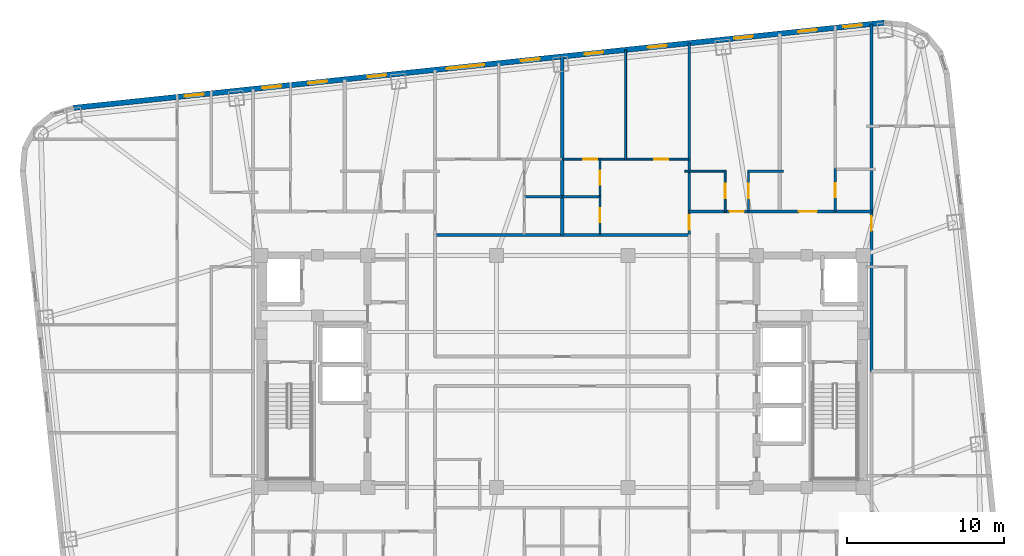
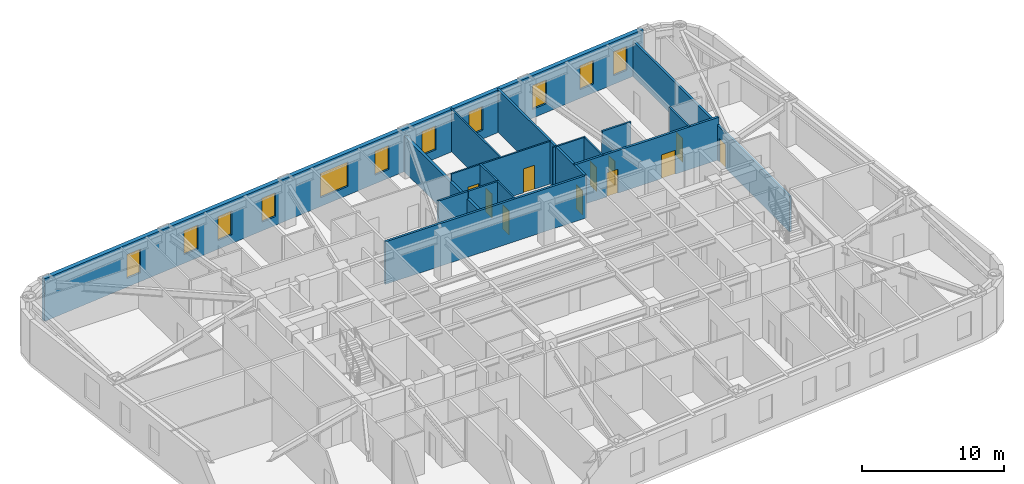
# One storey, part 9 of 12: 17 walls, 11 doors, 11 windows, 22 openings.
"""IFC4 building model written with IfcOpenShell, lengths in metres."""

from ifc_helpers import new_model, si_unit, direction, frame, frame_2d, origin, place, context, subcontext, project, spatial, rectangle, extrude, material, layer, layer_set, type_object, element, fill, save


model = new_model("IFC4")

# Units and contexts
model_context = context("Model", 3, precision=1e-05, world=origin(), true_north=direction((0.0, 1.0)))
body_context = subcontext(model_context, "Body", "Model", "MODEL_VIEW")
ifc_project = project(units=[si_unit("LENGTHUNIT", "METRE"), si_unit("AREAUNIT", "SQUARE_METRE"), si_unit("VOLUMEUNIT", "CUBIC_METRE"), si_unit("PLANEANGLEUNIT", "RADIAN"), si_unit("MASSUNIT", "GRAM", prefix="KILO")], contexts=[model_context])

# Site, building, storey
site_placement = place(None, origin())
site = spatial("IfcSite", under=ifc_project, at=site_placement, CompositionType="ELEMENT")
building_placement = place(site_placement, origin())
building = spatial("IfcBuilding", under=site, at=building_placement, Name="Voryun Gate Residences", CompositionType="ELEMENT")
storey_placement = place(building_placement, frame((0.0, 0.0, 187.199951171875)))
storey = spatial("IfcBuildingStorey", under=building, at=storey_placement, Name="L46", CompositionType="ELEMENT", Elevation=187.199951171875)

# Wall
ifc_material_1 = material(Name="Gypsum acoustic fireboard")
ifc_layer_1 = layer(ifc_material_1, 0.179931640625, Name="W_CORR_RATED_180")
ifc_layer_set_1 = layer_set([ifc_layer_1], Name="Gypsum acoustic fireboard")
wall_type_1 = type_object("IfcWallType", Name="W_CORR_RATED_180", PredefinedType="PARTITIONING", material=ifc_layer_set_1)
wall_1_placement = place(storey_placement, frame((-8.14990234375, 8.68994140625, 0.0), z_axis=(0.0, 0.0, 1.0), x_axis=(1.0, 0.0, 0.0)))
element("IfcWall", 1, at=wall_1_placement, inside=storey, type_object=wall_type_1, Name="Partition wall WP-L46-Z2N", PredefinedType="PARTITIONING", context=body_context, shape_type="SweptSolid", body=[
    extrude(rectangle(XDim=16.2998046875, YDim=0.179931640625, at=frame_2d((8.14990234375, 0.0))), origin(), (0.0, 0.0, 1.0), 3.650146484375),
])

# Wall, openings, doors
wall_2_placement = place(storey_placement, frame((8.080078125, 10.199951171875, 0.0), z_axis=(0.0, 0.0, 1.0), x_axis=(1.0, 0.0, 0.0)))
wall_2 = element("IfcWall", 2, at=wall_2_placement, inside=storey, type_object=wall_type_1, Name="Partition wall WP-L46-NCORR-E", PredefinedType="PARTITIONING", context=body_context, shape_type="SweptSolid", body=[
    extrude(rectangle(XDim=11.669921875, YDim=0.179931640625, at=frame_2d((5.8349609375, 0.0))), origin(), (0.0, 0.0, 1.0), 3.650146484375),
])
opening_1_placement = place(wall_2_placement, frame((2.60400390625, 0.0, 0.0)))
opening_1 = element("IfcOpeningElement", 3, at=opening_1_placement, cuts=wall_2, Name="Opening D-INT-2", PredefinedType="OPENING", context=body_context, shape_type="SweptSolid", body=[
    extrude(rectangle(XDim=0.89990234375, YDim=2.050048828125, at=frame_2d((0.449951171875, 1.02490234375))), frame((0.0, 0.099853515625, 0.0), z_axis=(0.0, -1.0, 0.0), x_axis=(1.0, 0.0, 0.0)), (0.0, 0.0, 1.0), 0.199951171875),
])
opening_2_placement = place(wall_2_placement, frame((7.016357421875, 0.0, 0.0)))
opening_2 = element("IfcOpeningElement", 4, at=opening_2_placement, cuts=wall_2, Name="Opening D-UNIT-1", PredefinedType="OPENING", context=body_context, shape_type="SweptSolid", body=[
    extrude(rectangle(XDim=1.14990234375, YDim=2.050048828125, at=frame_2d((0.574951171875, 1.02490234375))), frame((0.0, 0.099853515625, 0.0), z_axis=(0.0, -1.0, 0.0), x_axis=(1.0, 0.0, 0.0)), (0.0, 0.0, 1.0), 0.199951171875),
])
ifc_material_2 = material(Name="Architectural oak veneer")
door_type_1 = type_object("IfcDoorType", Name="DR_INT_BATH_900", OperationType="NOTDEFINED", PredefinedType="DOOR", material=ifc_material_2)
door_1_placement = place(opening_1_placement, origin())
door_1 = element("IfcDoor", 5, at=door_1_placement, inside=storey, type_object=door_type_1, Name="Door DR-L46-NENT-4", OperationType="SINGLE_SWING_RIGHT", OverallHeight=2.050048828125, OverallWidth=0.89990234375, PredefinedType="DOOR", context=body_context, shape_type="SweptSolid", body=[
    extrude(rectangle(XDim=0.89990234375, YDim=2.050048828125, at=frame_2d((0.449951171875, 1.02490234375))), frame((0.0, 0.02490234375, 0.0), z_axis=(0.0, -1.0, 0.0), x_axis=(1.0, 0.0, 0.0)), (0.0, 0.0, 1.0), 0.050048828125),
])
fill(opening_1, door_1)
ifc_material_3 = material(Name="Armoured timber-clad fire door", Category="wood")
door_type_2 = type_object("IfcDoorType", Name="DR_UNIT_ENTRY_1150", OperationType="NOTDEFINED", PredefinedType="DOOR", material=ifc_material_3)
door_2_placement = place(opening_2_placement, origin())
door_2 = element("IfcDoor", 6, at=door_2_placement, inside=storey, type_object=door_type_2, Name="Door DR-L46-NENT-5", OperationType="SINGLE_SWING_LEFT", OverallHeight=2.050048828125, OverallWidth=1.14990234375, PredefinedType="DOOR", context=body_context, shape_type="SweptSolid", body=[
    extrude(rectangle(XDim=1.14990234375, YDim=2.050048828125, at=frame_2d((0.574951171875, 1.02490234375))), frame((0.0, 0.02490234375, 0.0), z_axis=(0.0, -1.0, 0.0), x_axis=(1.0, 0.0, 0.0)), (0.0, 0.0, 1.0), 0.050048828125),
])
fill(opening_2, door_2)

# Wall, opening, door
wall_3_placement = place(storey_placement, frame((8.10009765625, 8.68994140625, 0.0), z_axis=(0.0, 0.0, 1.0), x_axis=(0.0, 1.0, 0.0)))
wall_3 = element("IfcWall", 7, at=wall_3_placement, inside=storey, type_object=wall_type_1, Name="Partition wall WP-L46-NZV-2", PredefinedType="PARTITIONING", context=body_context, shape_type="SweptSolid", body=[
    extrude(rectangle(XDim=12.2392578125, YDim=0.179931640625, at=frame_2d((6.11962890625, 0.0))), origin(), (0.0, 0.0, 1.0), 3.650146484375),
])
opening_3_placement = place(wall_3_placement, frame((0.350341796875, 0.0, 0.0)))
opening_3 = element("IfcOpeningElement", 8, at=opening_3_placement, cuts=wall_3, Name="Opening D-INT-2", PredefinedType="OPENING", context=body_context, shape_type="SweptSolid", body=[
    extrude(rectangle(XDim=0.89990234375, YDim=2.050048828125, at=frame_2d((0.449951171875, 1.02490234375))), frame((0.0, 0.099853515625, 0.0), z_axis=(0.0, -1.0, 0.0), x_axis=(1.0, 0.0, 0.0)), (0.0, 0.0, 1.0), 0.199951171875),
])
door_3_placement = place(opening_3_placement, origin())
door_3 = element("IfcDoor", 9, at=door_3_placement, inside=storey, type_object=door_type_1, Name="Door DR-L46-NZENT-2", OperationType="SINGLE_SWING_RIGHT", OverallHeight=2.050048828125, OverallWidth=0.89990234375, PredefinedType="DOOR", context=body_context, shape_type="SweptSolid", body=[
    extrude(rectangle(XDim=0.89990234375, YDim=2.050048828125, at=frame_2d((0.449951171875, 1.02490234375))), frame((0.0, 0.02490234375, 0.0), z_axis=(0.0, -1.0, 0.0), x_axis=(1.0, 0.0, 0.0)), (0.0, 0.0, 1.0), 0.050048828125),
])
fill(opening_3, door_3)

wall_4_placement = place(storey_placement, frame((19.719970703125, 0.0, 0.0), z_axis=(0.0, 0.0, 1.0), x_axis=(0.0, 1.0, 0.0)))
wall_4 = element("IfcWall", 10, at=wall_4_placement, inside=storey, type_object=wall_type_1, Name="Partition wall WP-L46-ECOR2", PredefinedType="PARTITIONING", context=body_context, shape_type="SweptSolid", body=[
    extrude(rectangle(XDim=22.150390625, YDim=0.179931640625, at=frame_2d((11.0751953125, 0.0))), origin(), (0.0, 0.0, 1.0), 3.0400390625),
])
opening_4_placement = place(wall_4_placement, frame((8.9794921875, 0.0, 0.0)))
opening_4 = element("IfcOpeningElement", 11, at=opening_4_placement, cuts=wall_4, Name="Opening D-INT-2", PredefinedType="OPENING", context=body_context, shape_type="SweptSolid", body=[
    extrude(rectangle(XDim=0.89990234375, YDim=2.050048828125, at=frame_2d((0.449951171875, 1.02490234375))), frame((0.0, 0.099853515625, 0.0), z_axis=(0.0, -1.0, 0.0), x_axis=(1.0, 0.0, 0.0)), (0.0, 0.0, 1.0), 0.199951171875),
])
door_4_placement = place(opening_4_placement, origin())
door_4 = element("IfcDoor", 12, at=door_4_placement, inside=storey, type_object=door_type_1, Name="Door DR-L46-EE2", OperationType="SINGLE_SWING_RIGHT", OverallHeight=2.050048828125, OverallWidth=0.89990234375, PredefinedType="DOOR", context=body_context, shape_type="SweptSolid", body=[
    extrude(rectangle(XDim=0.89990234375, YDim=2.050048828125, at=frame_2d((0.449951171875, 1.02490234375))), frame((0.0, 0.02490234375, 0.0), z_axis=(0.0, -1.0, 0.0), x_axis=(1.0, 0.0, 0.0)), (0.0, 0.0, 1.0), 0.050048828125),
])
fill(opening_4, door_4)

# Wall, openings, windows
ifc_material_4 = material(Name="Charcoal terracotta masonry", Category="masonry")
ifc_layer_2 = layer(ifc_material_4, 0.340087890625, Name="W_EXT_TERRACOTTA_340")
ifc_layer_set_2 = layer_set([ifc_layer_2], Name="Charcoal terracotta masonry")
wall_type_2 = type_object("IfcWallType", Name="W_EXT_TERRACOTTA_340", PredefinedType="ELEMENTEDWALL", material=ifc_layer_set_2)
wall_5_placement = place(storey_placement, frame((-31.155517578125, 16.80322265625, 0.0), z_axis=(0.0, 0.0, 1.0), x_axis=(0.99452209583, 0.104526555986, 0.0)))
wall_5 = element("IfcWall", 13, at=wall_5_placement, inside=storey, type_object=wall_type_2, Name="Exterior wall WEXT-L46-11", PredefinedType="ELEMENTEDWALL", context=body_context, shape_type="SweptSolid", body=[
    extrude(rectangle(XDim=51.966552734375, YDim=0.340087890625, at=frame_2d((25.9833984375, 0.0))), origin(), (0.0, 0.0, 1.0), 3.650146484375),
])
opening_5_placement = place(wall_5_placement, frame((23.93310546875, 0.0, 0.75)))
opening_5 = element("IfcOpeningElement", 14, at=opening_5_placement, cuts=wall_5, Name="Opening WN2", PredefinedType="OPENING", context=body_context, shape_type="SweptSolid", body=[
    extrude(rectangle(XDim=2.39990234375, YDim=2.10009765625, at=frame_2d((1.199951171875, 1.050048828125))), frame((0.0, 0.179931640625, 0.0), z_axis=(0.0, -1.0, 0.0), x_axis=(1.0, 0.0, 0.0)), (0.0, 0.0, 1.0), 0.360107421875),
])
opening_6_placement = place(wall_5_placement, frame((15.04638671875, 0.0, 0.75)))
opening_6 = element("IfcOpeningElement", 15, at=opening_6_placement, cuts=wall_5, Name="Opening WN6", PredefinedType="OPENING", context=body_context, shape_type="SweptSolid", body=[
    extrude(rectangle(XDim=1.199951171875, YDim=2.050048828125, at=frame_2d((0.60009765625, 1.02490234375))), frame((0.0, 0.179931640625, 0.0), z_axis=(0.0, -1.0, 0.0), x_axis=(1.0, 0.0, 0.0)), (0.0, 0.0, 1.0), 0.360107421875),
])
opening_7_placement = place(wall_5_placement, frame((12.10791015625, 0.0, 0.75)))
opening_7 = element("IfcOpeningElement", 16, at=opening_7_placement, cuts=wall_5, Name="Opening WN6", PredefinedType="OPENING", context=body_context, shape_type="SweptSolid", body=[
    extrude(rectangle(XDim=1.199951171875, YDim=2.050048828125, at=frame_2d((0.60009765625, 1.02490234375))), frame((0.0, 0.179931640625, 0.0), z_axis=(0.0, -1.0, 0.0), x_axis=(1.0, 0.0, 0.0)), (0.0, 0.0, 1.0), 0.360107421875),
])
opening_8_placement = place(wall_5_placement, frame((18.851806640625, 0.0, 0.75)))
opening_8 = element("IfcOpeningElement", 17, at=opening_8_placement, cuts=wall_5, Name="Opening WN6", PredefinedType="OPENING", context=body_context, shape_type="SweptSolid", body=[
    extrude(rectangle(XDim=1.199951171875, YDim=2.050048828125, at=frame_2d((0.60009765625, 1.02490234375))), frame((0.0, 0.179931640625, 0.0), z_axis=(0.0, -1.0, 0.0), x_axis=(1.0, 0.0, 0.0)), (0.0, 0.0, 1.0), 0.360107421875),
])
opening_9_placement = place(wall_5_placement, frame((42.35791015625, 0.0, 0.75)))
opening_9 = element("IfcOpeningElement", 18, at=opening_9_placement, cuts=wall_5, Name="Opening WN6", PredefinedType="OPENING", context=body_context, shape_type="SweptSolid", body=[
    extrude(rectangle(XDim=1.199951171875, YDim=2.050048828125, at=frame_2d((0.60009765625, 1.02490234375))), frame((0.0, 0.179931640625, 0.0), z_axis=(0.0, -1.0, 0.0), x_axis=(1.0, 0.0, 0.0)), (0.0, 0.0, 1.0), 0.360107421875),
])
opening_10_placement = place(wall_5_placement, frame((46.451904296875, 0.0, 0.75)))
opening_10 = element("IfcOpeningElement", 19, at=opening_10_placement, cuts=wall_5, Name="Opening WN6", PredefinedType="OPENING", context=body_context, shape_type="SweptSolid", body=[
    extrude(rectangle(XDim=1.199951171875, YDim=2.050048828125, at=frame_2d((0.60009765625, 1.02490234375))), frame((0.0, 0.179931640625, 0.0), z_axis=(0.0, -1.0, 0.0), x_axis=(1.0, 0.0, 0.0)), (0.0, 0.0, 1.0), 0.360107421875),
])
opening_11_placement = place(wall_5_placement, frame((49.355712890625, 0.0, 0.75)))
opening_11 = element("IfcOpeningElement", 20, at=opening_11_placement, cuts=wall_5, Name="Opening WN6", PredefinedType="OPENING", context=body_context, shape_type="SweptSolid", body=[
    extrude(rectangle(XDim=1.199951171875, YDim=2.050048828125, at=frame_2d((0.60009765625, 1.02490234375))), frame((0.0, 0.179931640625, 0.0), z_axis=(0.0, -1.0, 0.0), x_axis=(1.0, 0.0, 0.0)), (0.0, 0.0, 1.0), 0.360107421875),
])
opening_12_placement = place(wall_5_placement, frame((28.68359375, 0.0, 0.75)))
opening_12 = element("IfcOpeningElement", 21, at=opening_12_placement, cuts=wall_5, Name="Opening WN6", PredefinedType="OPENING", context=body_context, shape_type="SweptSolid", body=[
    extrude(rectangle(XDim=1.199951171875, YDim=2.050048828125, at=frame_2d((0.60009765625, 1.02490234375))), frame((0.0, 0.179931640625, 0.0), z_axis=(0.0, -1.0, 0.0), x_axis=(1.0, 0.0, 0.0)), (0.0, 0.0, 1.0), 0.360107421875),
])
opening_13_placement = place(wall_5_placement, frame((32.76611328125, 0.0, 0.75)))
opening_13 = element("IfcOpeningElement", 22, at=opening_13_placement, cuts=wall_5, Name="Opening WN6", PredefinedType="OPENING", context=body_context, shape_type="SweptSolid", body=[
    extrude(rectangle(XDim=1.199951171875, YDim=2.050048828125, at=frame_2d((0.60009765625, 1.02490234375))), frame((0.0, 0.179931640625, 0.0), z_axis=(0.0, -1.0, 0.0), x_axis=(1.0, 0.0, 0.0)), (0.0, 0.0, 1.0), 0.360107421875),
])
opening_14_placement = place(wall_5_placement, frame((36.828369140625, 0.0, 0.75)))
opening_14 = element("IfcOpeningElement", 23, at=opening_14_placement, cuts=wall_5, Name="Opening WN6", PredefinedType="OPENING", context=body_context, shape_type="SweptSolid", body=[
    extrude(rectangle(XDim=1.199951171875, YDim=2.050048828125, at=frame_2d((0.60009765625, 1.02490234375))), frame((0.0, 0.179931640625, 0.0), z_axis=(0.0, -1.0, 0.0), x_axis=(1.0, 0.0, 0.0)), (0.0, 0.0, 1.0), 0.360107421875),
])
opening_15_placement = place(wall_5_placement, frame((7.135498046875, 0.0, 0.75)))
opening_15 = element("IfcOpeningElement", 24, at=opening_15_placement, cuts=wall_5, Name="Opening WN6", PredefinedType="OPENING", context=body_context, shape_type="SweptSolid", body=[
    extrude(rectangle(XDim=1.199951171875, YDim=2.050048828125, at=frame_2d((0.60009765625, 1.02490234375))), frame((0.0, 0.179931640625, 0.0), z_axis=(0.0, -1.0, 0.0), x_axis=(1.0, 0.0, 0.0)), (0.0, 0.0, 1.0), 0.360107421875),
])
ifc_material_5 = material(Name="Laminated low-E glass", Category="glass")
window_type_1 = type_object("IfcWindowType", Name="WN_POD_SLOT_1200", PartitioningType="SINGLE_PANEL", PredefinedType="WINDOW", material=ifc_material_5)
window_1_placement = place(opening_6_placement, origin())
window_1 = element("IfcWindow", 25, at=window_1_placement, inside=storey, type_object=window_type_1, Name="Window WN-L46-DWFIX-01", OverallHeight=2.050048828125, OverallWidth=1.199951171875, PartitioningType="SINGLE_PANEL", PredefinedType="WINDOW", context=body_context, shape_type="SweptSolid", body=[
    extrude(rectangle(XDim=1.199951171875, YDim=2.050048828125, at=frame_2d((0.60009765625, 1.02490234375))), frame((0.0, 0.030029296875, 0.0), z_axis=(0.0, -1.0, 0.0), x_axis=(1.0, 0.0, 0.0)), (0.0, 0.0, 1.0), 0.06005859375),
])
fill(opening_6, window_1)
window_2_placement = place(opening_7_placement, origin())
window_2 = element("IfcWindow", 26, at=window_2_placement, inside=storey, type_object=window_type_1, Name="Window WN-L46-DWFIX-02", OverallHeight=2.050048828125, OverallWidth=1.199951171875, PartitioningType="SINGLE_PANEL", PredefinedType="WINDOW", context=body_context, shape_type="SweptSolid", body=[
    extrude(rectangle(XDim=1.199951171875, YDim=2.050048828125, at=frame_2d((0.60009765625, 1.02490234375))), frame((0.0, 0.030029296875, 0.0), z_axis=(0.0, -1.0, 0.0), x_axis=(1.0, 0.0, 0.0)), (0.0, 0.0, 1.0), 0.06005859375),
])
fill(opening_7, window_2)
window_3_placement = place(opening_8_placement, origin())
window_3 = element("IfcWindow", 27, at=window_3_placement, inside=storey, type_object=window_type_1, Name="Window WN-L46-DWFIX-03", OverallHeight=2.050048828125, OverallWidth=1.199951171875, PartitioningType="SINGLE_PANEL", PredefinedType="WINDOW", context=body_context, shape_type="SweptSolid", body=[
    extrude(rectangle(XDim=1.199951171875, YDim=2.050048828125, at=frame_2d((0.60009765625, 1.02490234375))), frame((0.0, 0.030029296875, 0.0), z_axis=(0.0, -1.0, 0.0), x_axis=(1.0, 0.0, 0.0)), (0.0, 0.0, 1.0), 0.06005859375),
])
fill(opening_8, window_3)
window_4_placement = place(opening_9_placement, origin())
window_4 = element("IfcWindow", 28, at=window_4_placement, inside=storey, type_object=window_type_1, Name="Window WN-L46-DWFIX-04", OverallHeight=2.050048828125, OverallWidth=1.199951171875, PartitioningType="SINGLE_PANEL", PredefinedType="WINDOW", context=body_context, shape_type="SweptSolid", body=[
    extrude(rectangle(XDim=1.199951171875, YDim=2.050048828125, at=frame_2d((0.60009765625, 1.02490234375))), frame((0.0, 0.030029296875, 0.0), z_axis=(0.0, -1.0, 0.0), x_axis=(1.0, 0.0, 0.0)), (0.0, 0.0, 1.0), 0.06005859375),
])
fill(opening_9, window_4)
window_5_placement = place(opening_10_placement, origin())
window_5 = element("IfcWindow", 29, at=window_5_placement, inside=storey, type_object=window_type_1, Name="Window WN-L46-DWFIX-05", OverallHeight=2.050048828125, OverallWidth=1.199951171875, PartitioningType="SINGLE_PANEL", PredefinedType="WINDOW", context=body_context, shape_type="SweptSolid", body=[
    extrude(rectangle(XDim=1.199951171875, YDim=2.050048828125, at=frame_2d((0.60009765625, 1.02490234375))), frame((0.0, 0.030029296875, 0.0), z_axis=(0.0, -1.0, 0.0), x_axis=(1.0, 0.0, 0.0)), (0.0, 0.0, 1.0), 0.06005859375),
])
fill(opening_10, window_5)
window_6_placement = place(opening_11_placement, origin())
window_6 = element("IfcWindow", 30, at=window_6_placement, inside=storey, type_object=window_type_1, Name="Window WN-L46-DWFIX-06", OverallHeight=2.050048828125, OverallWidth=1.199951171875, PartitioningType="SINGLE_PANEL", PredefinedType="WINDOW", context=body_context, shape_type="SweptSolid", body=[
    extrude(rectangle(XDim=1.199951171875, YDim=2.050048828125, at=frame_2d((0.60009765625, 1.02490234375))), frame((0.0, 0.030029296875, 0.0), z_axis=(0.0, -1.0, 0.0), x_axis=(1.0, 0.0, 0.0)), (0.0, 0.0, 1.0), 0.06005859375),
])
fill(opening_11, window_6)
window_7_placement = place(opening_12_placement, origin())
window_7 = element("IfcWindow", 31, at=window_7_placement, inside=storey, type_object=window_type_1, Name="Window WN-L46-DWFIX-07", OverallHeight=2.050048828125, OverallWidth=1.199951171875, PartitioningType="SINGLE_PANEL", PredefinedType="WINDOW", context=body_context, shape_type="SweptSolid", body=[
    extrude(rectangle(XDim=1.199951171875, YDim=2.050048828125, at=frame_2d((0.60009765625, 1.02490234375))), frame((0.0, 0.030029296875, 0.0), z_axis=(0.0, -1.0, 0.0), x_axis=(1.0, 0.0, 0.0)), (0.0, 0.0, 1.0), 0.06005859375),
])
fill(opening_12, window_7)
window_8_placement = place(opening_13_placement, origin())
window_8 = element("IfcWindow", 32, at=window_8_placement, inside=storey, type_object=window_type_1, Name="Window WN-L46-DWFIX-08", OverallHeight=2.050048828125, OverallWidth=1.199951171875, PartitioningType="SINGLE_PANEL", PredefinedType="WINDOW", context=body_context, shape_type="SweptSolid", body=[
    extrude(rectangle(XDim=1.199951171875, YDim=2.050048828125, at=frame_2d((0.60009765625, 1.02490234375))), frame((0.0, 0.030029296875, 0.0), z_axis=(0.0, -1.0, 0.0), x_axis=(1.0, 0.0, 0.0)), (0.0, 0.0, 1.0), 0.06005859375),
])
fill(opening_13, window_8)
window_9_placement = place(opening_14_placement, origin())
window_9 = element("IfcWindow", 33, at=window_9_placement, inside=storey, type_object=window_type_1, Name="Window WN-L46-DWFIX-09", OverallHeight=2.050048828125, OverallWidth=1.199951171875, PartitioningType="SINGLE_PANEL", PredefinedType="WINDOW", context=body_context, shape_type="SweptSolid", body=[
    extrude(rectangle(XDim=1.199951171875, YDim=2.050048828125, at=frame_2d((0.60009765625, 1.02490234375))), frame((0.0, 0.030029296875, 0.0), z_axis=(0.0, -1.0, 0.0), x_axis=(1.0, 0.0, 0.0)), (0.0, 0.0, 1.0), 0.06005859375),
])
fill(opening_14, window_9)
window_10_placement = place(opening_15_placement, origin())
window_10 = element("IfcWindow", 34, at=window_10_placement, inside=storey, type_object=window_type_1, Name="Window WN-L46-DWFIX-23", OverallHeight=2.050048828125, OverallWidth=1.199951171875, PartitioningType="SINGLE_PANEL", PredefinedType="WINDOW", context=body_context, shape_type="SweptSolid", body=[
    extrude(rectangle(XDim=1.199951171875, YDim=2.050048828125, at=frame_2d((0.60009765625, 1.02490234375))), frame((0.0, 0.030029296875, 0.0), z_axis=(0.0, -1.0, 0.0), x_axis=(1.0, 0.0, 0.0)), (0.0, 0.0, 1.0), 0.06005859375),
])
fill(opening_15, window_10)
ifc_material_6 = material(Name="Laminated low-E glass", Category="glass")
window_type_2 = type_object("IfcWindowType", Name="WN_RES_WIDE_2400", PartitioningType="SINGLE_PANEL", PredefinedType="WINDOW", material=ifc_material_6)
window_11_placement = place(opening_5_placement, origin())
window_11 = element("IfcWindow", 35, at=window_11_placement, inside=storey, type_object=window_type_2, Name="Window WN-WEXT-L46-11-02", OverallHeight=2.10009765625, OverallWidth=2.39990234375, PartitioningType="SINGLE_PANEL", PredefinedType="WINDOW", context=body_context, shape_type="SweptSolid", body=[
    extrude(rectangle(XDim=2.39990234375, YDim=2.10009765625, at=frame_2d((1.199951171875, 1.050048828125))), frame((0.0, 0.030029296875, 0.0), z_axis=(0.0, -1.0, 0.0), x_axis=(1.0, 0.0, 0.0)), (0.0, 0.0, 1.0), 0.06005859375),
])
fill(opening_5, window_11)

# Wall
ifc_material_7 = material(Name="Concrete C40/50", Category="concrete")
ifc_layer_3 = layer(ifc_material_7, 0.219970703125, Name="W_PARTY_ACOUSTIC_220")
ifc_layer_set_3 = layer_set([ifc_layer_3], Name="Concrete C40/50")
wall_type_3 = type_object("IfcWallType", Name="W_PARTY_ACOUSTIC_220", PredefinedType="PARTITIONING", material=ifc_layer_set_3)
wall_6_placement = place(storey_placement, frame((0.0, 8.68994140625, 0.0), z_axis=(0.0, 0.0, 1.0), x_axis=(0.0, 1.0, 0.0)))
element("IfcWall", 36, at=wall_6_placement, inside=storey, type_object=wall_type_3, Name="Partition wall WP-L46-NZMID", PredefinedType="PARTITIONING", context=body_context, shape_type="SweptSolid", body=[
    extrude(rectangle(XDim=11.387939453125, YDim=0.219970703125, at=frame_2d((5.69384765625, 0.0))), origin(), (0.0, 0.0, 1.0), 3.0400390625),
])

# Wall, opening, door
ifc_material_8 = material(Name="Gypsum acoustic partition")
ifc_layer_4 = layer(ifc_material_8, 0.125, Name="W_UNIT_PART_125")
ifc_layer_set_4 = layer_set([ifc_layer_4], Name="Gypsum acoustic partition")
wall_type_4 = type_object("IfcWallType", Name="W_UNIT_PART_125", PredefinedType="PARTITIONING", material=ifc_layer_set_4)
wall_7_placement = place(storey_placement, frame((10.389892578125, 10.179931640625, 0.0), z_axis=(0.0, 0.0, 1.0), x_axis=(0.0, 1.0, 0.0)))
wall_7 = element("IfcWall", 37, at=wall_7_placement, inside=storey, type_object=wall_type_4, Name="Partition wall WP-L46-N4-CVK", PredefinedType="PARTITIONING", context=body_context, shape_type="SweptSolid", body=[
    extrude(rectangle(XDim=2.650146484375, YDim=0.125, at=frame_2d((1.3251953125, 0.0))), origin(), (0.0, 0.0, 1.0), 3.650146484375),
])
opening_16_placement = place(wall_7_placement, frame((0.875, 0.0, 0.0)))
opening_16 = element("IfcOpeningElement", 38, at=opening_16_placement, cuts=wall_7, Name="Opening D-INT-2", PredefinedType="OPENING", context=body_context, shape_type="SweptSolid", body=[
    extrude(rectangle(XDim=0.89990234375, YDim=2.050048828125, at=frame_2d((0.449951171875, 1.02490234375))), frame((0.0, 0.072509765625, 0.0), z_axis=(0.0, -1.0, 0.0), x_axis=(1.0, 0.0, 0.0)), (0.0, 0.0, 1.0), 0.14501953125),
])
door_5_placement = place(opening_16_placement, origin())
door_5 = element("IfcDoor", 39, at=door_5_placement, inside=storey, type_object=door_type_1, Name="Door DR-L46-N4-DK", OperationType="SINGLE_SWING_LEFT", OverallHeight=2.050048828125, OverallWidth=0.89990234375, PredefinedType="DOOR", context=body_context, shape_type="SweptSolid", body=[
    extrude(rectangle(XDim=0.89990234375, YDim=2.050048828125, at=frame_2d((0.449951171875, 1.02490234375))), frame((0.0, 0.02490234375, 0.0), z_axis=(0.0, -1.0, 0.0), x_axis=(1.0, 0.0, 0.0)), (0.0, 0.0, 1.0), 0.050048828125),
])
fill(opening_16, door_5)

# Wall
wall_8_placement = place(storey_placement, frame((7.820068359375, 12.77001953125, 0.0), z_axis=(0.0, 0.0, 1.0), x_axis=(1.0, 0.0, 0.0)))
element("IfcWall", 40, at=wall_8_placement, inside=storey, type_object=wall_type_4, Name="Partition wall WP-L46-N4-CHK", PredefinedType="PARTITIONING", context=body_context, shape_type="SweptSolid", body=[
    extrude(rectangle(XDim=2.6298828125, YDim=0.125, at=frame_2d((1.31494140625, 0.0))), origin(), (0.0, 0.0, 1.0), 3.650146484375),
])

# Wall, openings, doors
wall_9_placement = place(storey_placement, frame((0.02001953125, 13.530029296875, 0.0), z_axis=(0.0, 0.0, 1.0), x_axis=(1.0, 0.0, 0.0)))
wall_9 = element("IfcWall", 41, at=wall_9_placement, inside=storey, type_object=wall_type_4, Name="Partition wall WP-L46-NC2-HZ", PredefinedType="PARTITIONING", context=body_context, shape_type="SweptSolid", body=[
    extrude(rectangle(XDim=8.06005859375, YDim=0.125, at=frame_2d((4.030029296875, 0.0))), origin(), (0.0, 0.0, 1.0), 3.650146484375),
])
opening_17_placement = place(wall_9_placement, frame((1.3232421875, 0.0, 0.0)))
opening_17 = element("IfcOpeningElement", 42, at=opening_17_placement, cuts=wall_9, Name="Opening D-INT-2", PredefinedType="OPENING", context=body_context, shape_type="SweptSolid", body=[
    extrude(rectangle(XDim=0.89990234375, YDim=2.050048828125, at=frame_2d((0.449951171875, 1.02490234375))), frame((0.0, 0.072509765625, 0.0), z_axis=(0.0, -1.0, 0.0), x_axis=(1.0, 0.0, 0.0)), (0.0, 0.0, 1.0), 0.14501953125),
])
opening_18_placement = place(wall_9_placement, frame((5.8369140625, 0.0, 0.0)))
opening_18 = element("IfcOpeningElement", 43, at=opening_18_placement, cuts=wall_9, Name="Opening D-INT-2", PredefinedType="OPENING", context=body_context, shape_type="SweptSolid", body=[
    extrude(rectangle(XDim=0.89990234375, YDim=2.050048828125, at=frame_2d((0.449951171875, 1.02490234375))), frame((0.0, 0.072509765625, 0.0), z_axis=(0.0, -1.0, 0.0), x_axis=(1.0, 0.0, 0.0)), (0.0, 0.0, 1.0), 0.14501953125),
])
door_6_placement = place(opening_17_placement, origin())
door_6 = element("IfcDoor", 44, at=door_6_placement, inside=storey, type_object=door_type_1, Name="Door DR-L46-NC2-DMB", OperationType="SINGLE_SWING_LEFT", OverallHeight=2.050048828125, OverallWidth=0.89990234375, PredefinedType="DOOR", context=body_context, shape_type="SweptSolid", body=[
    extrude(rectangle(XDim=0.89990234375, YDim=2.050048828125, at=frame_2d((0.449951171875, 1.02490234375))), frame((0.0, 0.02490234375, 0.0), z_axis=(0.0, -1.0, 0.0), x_axis=(1.0, 0.0, 0.0)), (0.0, 0.0, 1.0), 0.050048828125),
])
fill(opening_17, door_6)
door_7_placement = place(opening_18_placement, origin())
door_7 = element("IfcDoor", 45, at=door_7_placement, inside=storey, type_object=door_type_1, Name="Door DR-L46-NC2-DBD2", OperationType="SINGLE_SWING_RIGHT", OverallHeight=2.050048828125, OverallWidth=0.89990234375, PredefinedType="DOOR", context=body_context, shape_type="SweptSolid", body=[
    extrude(rectangle(XDim=0.89990234375, YDim=2.050048828125, at=frame_2d((0.449951171875, 1.02490234375))), frame((0.0, 0.02490234375, 0.0), z_axis=(0.0, -1.0, 0.0), x_axis=(1.0, 0.0, 0.0)), (0.0, 0.0, 1.0), 0.050048828125),
])
fill(opening_18, door_7)

# Wall, opening, door
wall_10_placement = place(storey_placement, frame((2.409912109375, 8.75, 0.0), z_axis=(0.0, 0.0, 1.0), x_axis=(0.0, 1.0, 0.0)))
wall_10 = element("IfcWall", 46, at=wall_10_placement, inside=storey, type_object=wall_type_4, Name="Partition wall WP-L46-NC2-VK1", PredefinedType="PARTITIONING", context=body_context, shape_type="SweptSolid", body=[
    extrude(rectangle(XDim=2.409912109375, YDim=0.125, at=frame_2d((1.205078125, 0.0))), origin(), (0.0, 0.0, 1.0), 3.650146484375),
])
opening_19_placement = place(wall_10_placement, frame((0.7548828125, 0.0, 0.0)))
opening_19 = element("IfcOpeningElement", 47, at=opening_19_placement, cuts=wall_10, Name="Opening D-INT-2", PredefinedType="OPENING", context=body_context, shape_type="SweptSolid", body=[
    extrude(rectangle(XDim=0.89990234375, YDim=2.050048828125, at=frame_2d((0.449951171875, 1.02490234375))), frame((0.0, 0.072509765625, 0.0), z_axis=(0.0, -1.0, 0.0), x_axis=(1.0, 0.0, 0.0)), (0.0, 0.0, 1.0), 0.14501953125),
])
door_8_placement = place(opening_19_placement, origin())
door_8 = element("IfcDoor", 48, at=door_8_placement, inside=storey, type_object=door_type_1, Name="Door DR-L46-NC2-DK", OperationType="SINGLE_SWING_LEFT", OverallHeight=2.050048828125, OverallWidth=0.89990234375, PredefinedType="DOOR", context=body_context, shape_type="SweptSolid", body=[
    extrude(rectangle(XDim=0.89990234375, YDim=2.050048828125, at=frame_2d((0.449951171875, 1.02490234375))), frame((0.0, 0.02490234375, 0.0), z_axis=(0.0, -1.0, 0.0), x_axis=(1.0, 0.0, 0.0)), (0.0, 0.0, 1.0), 0.050048828125),
])
fill(opening_19, door_8)

# Wall
wall_11_placement = place(storey_placement, frame((4.050048828125, 13.489990234375, 0.0), z_axis=(0.0, 0.0, 1.0), x_axis=(0.0, 1.0, 0.0)))
element("IfcWall", 49, at=wall_11_placement, inside=storey, type_object=wall_type_4, Name="Partition wall WP-L46-NC2-VBD", PredefinedType="PARTITIONING", context=body_context, shape_type="SweptSolid", body=[
    extrude(rectangle(XDim=7.013427734375, YDim=0.125, at=frame_2d((3.5068359375, 0.0))), origin(), (0.0, 0.0, 1.0), 3.650146484375),
])

# Wall, opening, door
ifc_material_9 = material(Name="Gypsum moisture-resistant partition")
ifc_layer_5 = layer(ifc_material_9, 0.14990234375, Name="W_WET_PLUMB_150")
ifc_layer_set_5 = layer_set([ifc_layer_5], Name="Gypsum moisture-resistant partition")
wall_type_5 = type_object("IfcWallType", Name="W_WET_PLUMB_150", PredefinedType="PLUMBINGWALL", material=ifc_layer_set_5)
wall_12_placement = place(storey_placement, frame((11.87890625, 10.179931640625, 0.0), z_axis=(0.0, 0.0, 1.0), x_axis=(0.0, 1.0, 0.0)))
wall_12 = element("IfcWall", 50, at=wall_12_placement, inside=storey, type_object=wall_type_5, Name="Partition wall WP-L46-N4-CVB", PredefinedType="PLUMBINGWALL", context=body_context, shape_type="SweptSolid", body=[
    extrude(rectangle(XDim=2.650146484375, YDim=0.14990234375, at=frame_2d((1.3251953125, 0.0))), origin(), (0.0, 0.0, 1.0), 3.0400390625),
])
opening_20_placement = place(wall_12_placement, frame((0.875, 0.0, 0.0)))
opening_20 = element("IfcOpeningElement", 51, at=opening_20_placement, cuts=wall_12, Name="Opening D-INT-2", PredefinedType="OPENING", context=body_context, shape_type="SweptSolid", body=[
    extrude(rectangle(XDim=0.89990234375, YDim=2.050048828125, at=frame_2d((0.449951171875, 1.02490234375))), frame((0.0, 0.0849609375, 0.0), z_axis=(0.0, -1.0, 0.0), x_axis=(1.0, 0.0, 0.0)), (0.0, 0.0, 1.0), 0.169921875),
])
door_9_placement = place(opening_20_placement, origin())
door_9 = element("IfcDoor", 52, at=door_9_placement, inside=storey, type_object=door_type_1, Name="Door DR-L46-N4-DB", OperationType="SINGLE_SWING_RIGHT", OverallHeight=2.050048828125, OverallWidth=0.89990234375, PredefinedType="DOOR", context=body_context, shape_type="SweptSolid", body=[
    extrude(rectangle(XDim=0.89990234375, YDim=2.050048828125, at=frame_2d((0.449951171875, 1.02490234375))), frame((0.0, 0.02490234375, 0.0), z_axis=(0.0, -1.0, 0.0), x_axis=(1.0, 0.0, 0.0)), (0.0, 0.0, 1.0), 0.050048828125),
])
fill(opening_20, door_9)

# Wall
wall_13_placement = place(storey_placement, frame((11.819091796875, 12.77001953125, 0.0), z_axis=(0.0, 0.0, 1.0), x_axis=(1.0, 0.0, 0.0)))
element("IfcWall", 53, at=wall_13_placement, inside=storey, type_object=wall_type_5, Name="Partition wall WP-L46-N4-CHB", PredefinedType="PLUMBINGWALL", context=body_context, shape_type="SweptSolid", body=[
    extrude(rectangle(XDim=2.305908203125, YDim=0.14990234375, at=frame_2d((1.15283203125, 0.0))), origin(), (0.0, 0.0, 1.0), 3.650146484375),
])

# Wall, opening, door
wall_14_placement = place(storey_placement, frame((17.4169921875, 10.179931640625, 0.0), z_axis=(0.0, 0.0, 1.0), x_axis=(0.0, 1.0, 0.0)))
wall_14 = element("IfcWall", 54, at=wall_14_placement, inside=storey, type_object=wall_type_5, Name="Partition wall WP-L46-N5-SVT1", PredefinedType="PLUMBINGWALL", context=body_context, shape_type="SweptSolid", body=[
    extrude(rectangle(XDim=2.760009765625, YDim=0.14990234375, at=frame_2d((1.3798828125, 0.0))), origin(), (0.0, 0.0, 1.0), 3.650146484375),
])
opening_21_placement = place(wall_14_placement, frame((0.929931640625, 0.0, 0.0)))
opening_21 = element("IfcOpeningElement", 55, at=opening_21_placement, cuts=wall_14, Name="Opening D-INT-2", PredefinedType="OPENING", context=body_context, shape_type="SweptSolid", body=[
    extrude(rectangle(XDim=0.89990234375, YDim=2.050048828125, at=frame_2d((0.449951171875, 1.02490234375))), frame((0.0, 0.0849609375, 0.0), z_axis=(0.0, -1.0, 0.0), x_axis=(1.0, 0.0, 0.0)), (0.0, 0.0, 1.0), 0.169921875),
])
door_10_placement = place(opening_21_placement, origin())
door_10 = element("IfcDoor", 56, at=door_10_placement, inside=storey, type_object=door_type_1, Name="Door DR-L46-N5-DB", OperationType="SINGLE_SWING_LEFT", OverallHeight=2.050048828125, OverallWidth=0.89990234375, PredefinedType="DOOR", context=body_context, shape_type="SweptSolid", body=[
    extrude(rectangle(XDim=0.89990234375, YDim=2.050048828125, at=frame_2d((0.449951171875, 1.02490234375))), frame((0.0, 0.02490234375, 0.0), z_axis=(0.0, -1.0, 0.0), x_axis=(1.0, 0.0, 0.0)), (0.0, 0.0, 1.0), 0.050048828125),
])
fill(opening_21, door_10)

# Wall
wall_15_placement = place(storey_placement, frame((-2.449951171875, 11.1298828125, 0.0), z_axis=(0.0, 0.0, 1.0), x_axis=(1.0, 0.0, 0.0)))
element("IfcWall", 57, at=wall_15_placement, inside=storey, type_object=wall_type_5, Name="Partition wall WP-L46-NC1-HKB", PredefinedType="PLUMBINGWALL", context=body_context, shape_type="SweptSolid", body=[
    extrude(rectangle(XDim=2.429931640625, YDim=0.14990234375, at=frame_2d((1.21484375, 0.0))), origin(), (0.0, 0.0, 1.0), 3.650146484375),
])

# Wall, opening, door
wall_16_placement = place(storey_placement, frame((2.409912109375, 11.10009765625, 0.0), z_axis=(0.0, 0.0, 1.0), x_axis=(0.0, 1.0, 0.0)))
wall_16 = element("IfcWall", 58, at=wall_16_placement, inside=storey, type_object=wall_type_5, Name="Partition wall WP-L46-NC2-VK2", PredefinedType="PLUMBINGWALL", context=body_context, shape_type="SweptSolid", body=[
    extrude(rectangle(XDim=2.469970703125, YDim=0.14990234375, at=frame_2d((1.23486328125, 0.0))), origin(), (0.0, 0.0, 1.0), 3.650146484375),
])
opening_22_placement = place(wall_16_placement, frame((0.784912109375, 0.0, 0.0)))
opening_22 = element("IfcOpeningElement", 59, at=opening_22_placement, cuts=wall_16, Name="Opening D-INT-2", PredefinedType="OPENING", context=body_context, shape_type="SweptSolid", body=[
    extrude(rectangle(XDim=0.89990234375, YDim=2.050048828125, at=frame_2d((0.449951171875, 1.02490234375))), frame((0.0, 0.0849609375, 0.0), z_axis=(0.0, -1.0, 0.0), x_axis=(1.0, 0.0, 0.0)), (0.0, 0.0, 1.0), 0.169921875),
])
door_11_placement = place(opening_22_placement, origin())
door_11 = element("IfcDoor", 60, at=door_11_placement, inside=storey, type_object=door_type_1, Name="Door DR-L46-NC2-DB", OperationType="SINGLE_SWING_RIGHT", OverallHeight=2.050048828125, OverallWidth=0.89990234375, PredefinedType="DOOR", context=body_context, shape_type="SweptSolid", body=[
    extrude(rectangle(XDim=0.89990234375, YDim=2.050048828125, at=frame_2d((0.449951171875, 1.02490234375))), frame((0.0, 0.02490234375, 0.0), z_axis=(0.0, -1.0, 0.0), x_axis=(1.0, 0.0, 0.0)), (0.0, 0.0, 1.0), 0.050048828125),
])
fill(opening_22, door_11)

# Wall
wall_17_placement = place(storey_placement, frame((0.02001953125, 11.1298828125, 0.0), z_axis=(0.0, 0.0, 1.0), x_axis=(1.0, 0.0, 0.0)))
element("IfcWall", 61, at=wall_17_placement, inside=storey, type_object=wall_type_5, Name="Partition wall WP-L46-NC2-HKB", PredefinedType="PLUMBINGWALL", context=body_context, shape_type="SweptSolid", body=[
    extrude(rectangle(XDim=2.429931640625, YDim=0.14990234375, at=frame_2d((1.21484375, 0.0))), origin(), (0.0, 0.0, 1.0), 3.650146484375),
])

save(model, "model.ifc")
